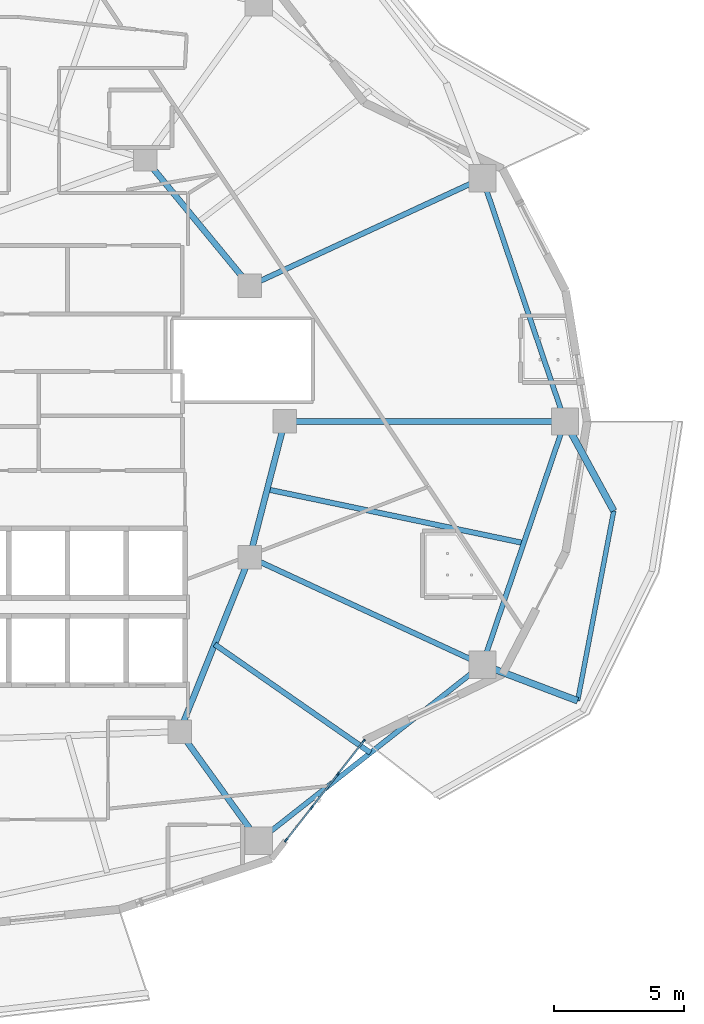
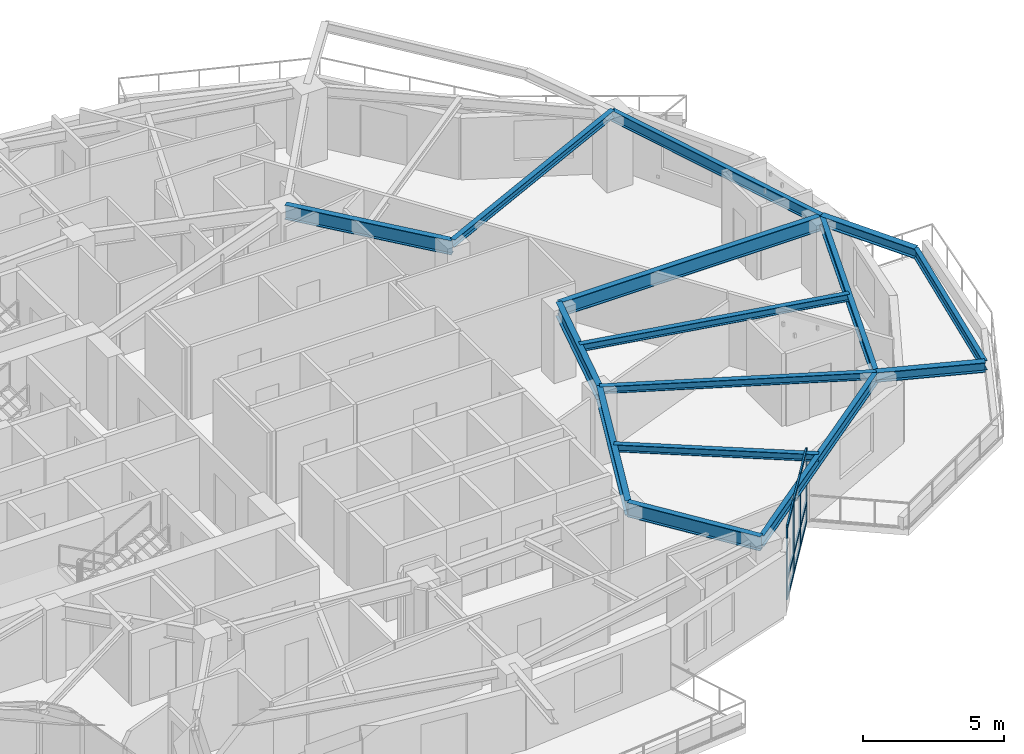
# One storey, part 4 of 18: 15 beams, 13 members, 1 element without a shape of its own.
"""IFC4 building model written with IfcOpenShell, lengths in metres."""

from ifc_helpers import new_model, si_unit, direction, frame, origin, origin_2d, place, context, subcontext, project, spatial, rectangle, i_section, extrude, material, layer, layer_set, material_profile, profile_set, type_object, element, aggregate, save


model = new_model("IFC4")

# Units and contexts
model_context = context("Model", 3, precision=1e-05, world=origin(), true_north=direction((0.0, 1.0)))
body_context = subcontext(model_context, "Body", "Model", "MODEL_VIEW")
ifc_project = project(units=[si_unit("LENGTHUNIT", "METRE"), si_unit("AREAUNIT", "SQUARE_METRE"), si_unit("VOLUMEUNIT", "CUBIC_METRE"), si_unit("PLANEANGLEUNIT", "RADIAN"), si_unit("MASSUNIT", "GRAM", prefix="KILO")], contexts=[model_context])

# Site, building, storey
site_placement = place(None, origin())
site = spatial("IfcSite", under=ifc_project, at=site_placement, CompositionType="ELEMENT")
building_placement = place(site_placement, origin())
building = spatial("IfcBuilding", under=site, at=building_placement, Name="Kolvaren Gate Tower and Convention Centre", CompositionType="ELEMENT")
storey_placement = place(building_placement, frame((0.0, 0.0, 108.699951171875)))
storey = spatial("IfcBuildingStorey", under=building, at=storey_placement, Name="L26", CompositionType="ELEMENT", Elevation=108.699951171875)

# Curtain wall, members
ifc_material_1 = material(Name="Anodized Architectural Aluminium Alloy 6063-T6", Category="aluminium")
ifc_layer = layer(ifc_material_1, 0.159912109375)
ifc_layer_set = layer_set([ifc_layer], Name="Anodized Architectural Aluminium Alloy 6063-T6")
curtain_wall_type = type_object("IfcCurtainWallType", Name="CW-HTL-UNIT", PredefinedType="NOTDEFINED", material=ifc_layer_set)
curtain_wall_placement = place(storey_placement, origin())
curtain_wall = element("IfcCurtainWall", 1, at=curtain_wall_placement, inside=storey, type_object=curtain_wall_type, Name="Tower L26 Unitised Curtain Wall CW-HTL-UNIT Bay 20", PredefinedType="NOTDEFINED")
ifc_material_profile_1 = material_profile(ifc_material_1, rectangle(XDim=0.06494140625, YDim=0.159912109375, at=origin_2d()), Name="CW-MEM-MUL-160")
ifc_profile_set_1 = profile_set([ifc_material_profile_1], Name="Anodized Architectural Aluminium Alloy 6063-T6")
member_type_1 = type_object("IfcMemberType", Name="CW-MEM-MUL-160", PredefinedType="MULLION", material=ifc_profile_set_1)
member_1_placement = place(storey_placement, frame((42.77880859375, 10.957763671875, 0.0), z_axis=(0.0, 0.0, 1.0), x_axis=(-0.787412940513, 0.616425876414, 0.0)))
member_1 = element("IfcMember", 2, at=member_1_placement, type_object=member_type_1, Name="CW-03 mullion 1", PredefinedType="MULLION", context=body_context, shape_type="SweptSolid", body=[
    extrude(rectangle(XDim=0.06494140625, YDim=0.159912109375, at=origin_2d()), origin(), (0.0, 0.0, 1.0), 3.130126953125),
])
member_2_placement = place(storey_placement, frame((43.76220703125, 12.2138671875, 0.0), z_axis=(0.0, 0.0, 1.0), x_axis=(-0.787412940513, 0.616425876414, 0.0)))
member_2 = element("IfcMember", 3, at=member_2_placement, type_object=member_type_1, Name="CW-03 mullion 2", PredefinedType="MULLION", context=body_context, shape_type="SweptSolid", body=[
    extrude(rectangle(XDim=0.06494140625, YDim=0.159912109375, at=origin_2d()), origin(), (0.0, 0.0, 1.0), 3.130126953125),
])
member_3_placement = place(storey_placement, frame((44.765380859375, 13.495361328125, 0.0), z_axis=(0.0, 0.0, 1.0), x_axis=(-0.787412940513, 0.616425876414, 0.0)))
member_3 = element("IfcMember", 4, at=member_3_placement, type_object=member_type_1, Name="CW-03 mullion 3", PredefinedType="MULLION", context=body_context, shape_type="SweptSolid", body=[
    extrude(rectangle(XDim=0.06494140625, YDim=0.159912109375, at=origin_2d()), origin(), (0.0, 0.0, 1.0), 3.130126953125),
])
member_4_placement = place(storey_placement, frame((45.748779296875, 14.75146484375, 0.0), z_axis=(0.0, 0.0, 1.0), x_axis=(-0.787412940513, 0.616425876414, 0.0)))
member_4 = element("IfcMember", 5, at=member_4_placement, type_object=member_type_1, Name="CW-03 mullion 4", PredefinedType="MULLION", context=body_context, shape_type="SweptSolid", body=[
    extrude(rectangle(XDim=0.06494140625, YDim=0.159912109375, at=origin_2d()), origin(), (0.0, 0.0, 1.0), 3.130126953125),
])
ifc_material_profile_2 = material_profile(ifc_material_1, rectangle(XDim=0.06494140625, YDim=0.159912109375, at=origin_2d()), Name="CW-MEM-TRN-160")
ifc_profile_set_2 = profile_set([ifc_material_profile_2], Name="Anodized Architectural Aluminium Alloy 6063-T6")
member_type_2 = type_object("IfcMemberType", Name="CW-MEM-TRN-160", PredefinedType="USERDEFINED", material=ifc_profile_set_2)
member_5_placement = place(storey_placement, frame((42.798828125, 10.9833984375, 0.032470703125), z_axis=(0.616488928006, 0.78736357653, 0.0), x_axis=(-0.78736357653, 0.616488928006, 0.0)))
member_5 = element("IfcMember", 6, at=member_5_placement, type_object=member_type_2, Name="CW-03 transom 1.1", ObjectType="TRANSOM", PredefinedType="USERDEFINED", context=body_context, shape_type="SweptSolid", body=[
    extrude(rectangle(XDim=0.06494140625, YDim=0.159912109375, at=origin_2d()), origin(), (0.0, 0.0, 1.0), 1.5302734375),
])
member_6_placement = place(storey_placement, frame((42.798828125, 10.9833984375, 0.85009765625), z_axis=(0.616488928006, 0.78736357653, 0.0), x_axis=(-0.78736357653, 0.616488928006, 0.0)))
member_6 = element("IfcMember", 7, at=member_6_placement, type_object=member_type_2, Name="CW-03 transom 1.2", ObjectType="TRANSOM", PredefinedType="USERDEFINED", context=body_context, shape_type="SweptSolid", body=[
    extrude(rectangle(XDim=0.06494140625, YDim=0.159912109375, at=origin_2d()), origin(), (0.0, 0.0, 1.0), 1.5302734375),
])
member_7_placement = place(storey_placement, frame((42.798828125, 10.9833984375, 3.09765625), z_axis=(0.616488928006, 0.78736357653, 0.0), x_axis=(-0.78736357653, 0.616488928006, 0.0)))
member_7 = element("IfcMember", 8, at=member_7_placement, type_object=member_type_2, Name="CW-03 transom 1.3", ObjectType="TRANSOM", PredefinedType="USERDEFINED", context=body_context, shape_type="SweptSolid", body=[
    extrude(rectangle(XDim=0.06494140625, YDim=0.159912109375, at=origin_2d()), origin(), (0.0, 0.0, 1.0), 1.5302734375),
])
member_8_placement = place(storey_placement, frame((43.7822265625, 12.239501953125, 0.032470703125), z_axis=(0.616447292669, 0.787396174337, 0.0), x_axis=(-0.787396174337, 0.616447292669, 0.0)))
member_8 = element("IfcMember", 9, at=member_8_placement, type_object=member_type_2, Name="CW-03 transom 2.1", ObjectType="TRANSOM", PredefinedType="USERDEFINED", context=body_context, shape_type="SweptSolid", body=[
    extrude(rectangle(XDim=0.06494140625, YDim=0.159912109375, at=origin_2d()), origin(), (0.0, 0.0, 1.0), 1.5625),
])
member_9_placement = place(storey_placement, frame((43.7822265625, 12.239501953125, 0.85009765625), z_axis=(0.616447292669, 0.787396174337, 0.0), x_axis=(-0.787396174337, 0.616447292669, 0.0)))
member_9 = element("IfcMember", 10, at=member_9_placement, type_object=member_type_2, Name="CW-03 transom 2.2", ObjectType="TRANSOM", PredefinedType="USERDEFINED", context=body_context, shape_type="SweptSolid", body=[
    extrude(rectangle(XDim=0.06494140625, YDim=0.159912109375, at=origin_2d()), origin(), (0.0, 0.0, 1.0), 1.5625),
])
member_10_placement = place(storey_placement, frame((43.7822265625, 12.239501953125, 3.09765625), z_axis=(0.616447292669, 0.787396174337, 0.0), x_axis=(-0.787396174337, 0.616447292669, 0.0)))
member_10 = element("IfcMember", 11, at=member_10_placement, type_object=member_type_2, Name="CW-03 transom 2.3", ObjectType="TRANSOM", PredefinedType="USERDEFINED", context=body_context, shape_type="SweptSolid", body=[
    extrude(rectangle(XDim=0.06494140625, YDim=0.159912109375, at=origin_2d()), origin(), (0.0, 0.0, 1.0), 1.5625),
])
member_11_placement = place(storey_placement, frame((44.785400390625, 13.52099609375, 0.032470703125), z_axis=(0.61639000373, 0.78744102211, 0.0), x_axis=(-0.78744102211, 0.61639000373, 0.0)))
member_11 = element("IfcMember", 12, at=member_11_placement, type_object=member_type_2, Name="CW-03 transom 3.1", ObjectType="TRANSOM", PredefinedType="USERDEFINED", context=body_context, shape_type="SweptSolid", body=[
    extrude(rectangle(XDim=0.06494140625, YDim=0.159912109375, at=origin_2d()), origin(), (0.0, 0.0, 1.0), 1.530029296875),
])
member_12_placement = place(storey_placement, frame((44.785400390625, 13.52099609375, 0.85009765625), z_axis=(0.61639000373, 0.78744102211, 0.0), x_axis=(-0.78744102211, 0.61639000373, 0.0)))
member_12 = element("IfcMember", 13, at=member_12_placement, type_object=member_type_2, Name="CW-03 transom 3.2", ObjectType="TRANSOM", PredefinedType="USERDEFINED", context=body_context, shape_type="SweptSolid", body=[
    extrude(rectangle(XDim=0.06494140625, YDim=0.159912109375, at=origin_2d()), origin(), (0.0, 0.0, 1.0), 1.530029296875),
])
member_13_placement = place(storey_placement, frame((44.785400390625, 13.52099609375, 3.09765625), z_axis=(0.61639000373, 0.78744102211, 0.0), x_axis=(-0.78744102211, 0.61639000373, 0.0)))
member_13 = element("IfcMember", 14, at=member_13_placement, type_object=member_type_2, Name="CW-03 transom 3.3", ObjectType="TRANSOM", PredefinedType="USERDEFINED", context=body_context, shape_type="SweptSolid", body=[
    extrude(rectangle(XDim=0.06494140625, YDim=0.159912109375, at=origin_2d()), origin(), (0.0, 0.0, 1.0), 1.530029296875),
])
aggregate(curtain_wall, [member_1, member_2, member_3, member_4, member_5, member_6, member_7, member_8, member_9, member_10, member_11, member_12, member_13])

# Beams
ifc_material_2 = material(Name="Structural steel ASTM A992 Grade 345 MPa", Category="steel")
ifc_material_profile_3 = material_profile(ifc_material_2, i_section(OverallWidth=0.260009765625, OverallDepth=0.419921875, WebThickness=0.013427734375, FlangeThickness=0.0224609375, at=origin_2d()), Name="W410X132")
ifc_profile_set_3 = profile_set([ifc_material_profile_3], Name="Structural steel ASTM A992 Grade 345 MPa")
beam_type_1 = type_object("IfcBeamType", Name="STR-BM-W410X132", PredefinedType="BEAM", material=ifc_profile_set_3)
beam_1_placement = place(storey_placement, frame((50.30029296875, 17.681396484375, 2.920654296875), z_axis=(0.935054778076, -0.354503260912, 0.0), x_axis=(0.354503260912, 0.935054778076, 0.0)))
element("IfcBeam", 15, at=beam_1_placement, inside=storey, type_object=beam_type_1, Name="Tower L27 Planted Balcony Outrigger Cantilever BC-4A", PredefinedType="BEAM", context=body_context, shape_type="SweptSolid", body=[
    extrude(i_section(OverallWidth=0.260009765625, OverallDepth=0.419921875, WebThickness=0.013427734375, FlangeThickness=0.0224609375, at=origin_2d()), origin(), (0.0, 0.0, 1.0), 3.89990234375),
])
beam_2_placement = place(storey_placement, frame((53.46240234375, 27.0, 2.920654296875), z_axis=(0.478878445754, -0.877881218726, 0.0), x_axis=(0.877881218726, 0.478878445754, 0.0)))
element("IfcBeam", 16, at=beam_2_placement, inside=storey, type_object=beam_type_1, Name="Tower L27 Planted Balcony Outrigger Cantilever BC-4B", PredefinedType="BEAM", context=body_context, shape_type="SweptSolid", body=[
    extrude(i_section(OverallWidth=0.260009765625, OverallDepth=0.419921875, WebThickness=0.013427734375, FlangeThickness=0.0224609375, at=origin_2d()), origin(), (0.0, 0.0, 1.0), 3.900146484375),
])
ifc_material_profile_4 = material_profile(ifc_material_2, i_section(OverallWidth=0.22998046875, OverallDepth=0.616943359375, WebThickness=0.01318359375, FlangeThickness=0.022216796875, at=origin_2d()), Name="W610X140")
ifc_profile_set_4 = profile_set([ifc_material_profile_4], Name="Structural steel ASTM A992 Grade 345 MPa")
beam_type_2 = type_object("IfcBeamType", Name="STR-BM-W610X140", PredefinedType="BEAM", material=ifc_profile_set_4)
beam_3_placement = place(storey_placement, frame((42.72509765625, 27.0, 2.821533203125), z_axis=(-0.250091133936, -0.968222301296, 0.0), x_axis=(0.968222301296, -0.250091133936, 0.0)))
element("IfcBeam", 17, at=beam_3_placement, inside=storey, type_object=beam_type_2, Name="Tower L26 Primary Ring Girder G-01", PredefinedType="BEAM", context=body_context, shape_type="SweptSolid", body=[
    extrude(i_section(OverallWidth=0.22998046875, OverallDepth=0.616943359375, WebThickness=0.01318359375, FlangeThickness=0.022216796875, at=origin_2d()), origin(), (0.0, 0.0, 1.0), 5.3701171875),
])
beam_4_placement = place(storey_placement, frame((41.382080078125, 32.199462890625, 2.821533203125), z_axis=(-0.635884066011, 0.771784590798, 0.0), x_axis=(-0.771784590798, -0.635884066011, 0.0)))
element("IfcBeam", 18, at=beam_4_placement, inside=storey, type_object=beam_type_2, Name="Tower L26 Primary Ring Girder G-02", PredefinedType="BEAM", context=body_context, shape_type="SweptSolid", body=[
    extrude(i_section(OverallWidth=0.22998046875, OverallDepth=0.616943359375, WebThickness=0.01318359375, FlangeThickness=0.022216796875, at=origin_2d()), origin(), (0.0, 0.0, 1.0), 6.291259765625),
])
beam_5_placement = place(storey_placement, frame((38.6982421875, 15.12060546875, 2.821533203125), z_axis=(0.372811100169, 0.927907260232, 0.0), x_axis=(-0.927907260232, 0.372811100169, 0.0)))
element("IfcBeam", 19, at=beam_5_placement, inside=storey, type_object=beam_type_2, Name="Tower L26 Primary Ring Girder G-09", PredefinedType="BEAM", context=body_context, shape_type="SweptSolid", body=[
    extrude(i_section(OverallWidth=0.22998046875, OverallDepth=0.616943359375, WebThickness=0.01318359375, FlangeThickness=0.022216796875, at=origin_2d()), origin(), (0.0, 0.0, 1.0), 7.198974609375),
])
beam_6_placement = place(storey_placement, frame((42.72509765625, 27.0, 2.821533203125), z_axis=(1.0, 0.0, 0.0), x_axis=(0.0, 1.0, 0.0)))
element("IfcBeam", 20, at=beam_6_placement, inside=storey, type_object=beam_type_2, Name="Tower L26 Radial Floor Girder RB-01", PredefinedType="BEAM", context=body_context, shape_type="SweptSolid", body=[
    extrude(i_section(OverallWidth=0.22998046875, OverallDepth=0.616943359375, WebThickness=0.01318359375, FlangeThickness=0.022216796875, at=origin_2d()), origin(), (0.0, 0.0, 1.0), 10.7373046875),
])
beam_7_placement = place(storey_placement, frame((38.6982421875, 15.12060546875, 2.821533203125), z_axis=(0.585214440031, -0.810878572401, 0.0), x_axis=(0.810878572401, 0.585214440031, 0.0)))
element("IfcBeam", 21, at=beam_7_placement, inside=storey, type_object=beam_type_2, Name="Tower L26 Radial Floor Girder RB-11", PredefinedType="BEAM", context=body_context, shape_type="SweptSolid", body=[
    extrude(i_section(OverallWidth=0.22998046875, OverallDepth=0.616943359375, WebThickness=0.01318359375, FlangeThickness=0.022216796875, at=origin_2d()), origin(), (0.0, 0.0, 1.0), 5.166015625),
])
ifc_material_profile_5 = material_profile(ifc_material_2, i_section(OverallWidth=0.205078125, OverallDepth=0.31005859375, WebThickness=0.009521484375, FlangeThickness=0.016357421875, at=origin_2d()), Name="W310X74")
ifc_profile_set_5 = profile_set([ifc_material_profile_5], Name="Structural steel ASTM A992 Grade 345 MPa")
beam_type_3 = type_object("IfcBeamType", Name="STR-JS-W310X74", PredefinedType="JOIST", material=ifc_profile_set_5)
for number, where, z_axis, x_axis, name in (
    (22, (41.382080078125, 32.199462890625, 2.97509765625), (0.907841510795, 0.419313476146, 0.0), (-0.419313476146, 0.907841510795, 0.0), "Tower L26 Radial Floor Girder RB-02"),
    (23, (41.382080078125, 21.800537109375, 2.97509765625), (0.907841510795, -0.419313476146, 0.0), (0.419313476146, 0.907841510795, 0.0), "Tower L26 Radial Floor Girder RB-12"),
):
    element("IfcBeam", number, at=place(storey_placement, frame(where, z_axis=z_axis, x_axis=x_axis)), inside=storey, type_object=beam_type_3, Name=name, PredefinedType="JOIST", context=body_context, shape_type="SweptSolid", body=[
        extrude(i_section(OverallWidth=0.205078125, OverallDepth=0.31005859375, WebThickness=0.009521484375, FlangeThickness=0.016357421875, at=origin_2d()), origin(), (0.0, 0.0, 1.0), 9.823486328125),
    ])
beam_8_placement = place(storey_placement, frame((40.040283203125, 18.46044921875, 2.97509765625), z_axis=(0.820871677882, -0.571112675792, 0.0), x_axis=(0.571112675792, 0.820871677882, 0.0)))
element("IfcBeam", 24, at=beam_8_placement, inside=storey, type_object=beam_type_3, Name="Tower L26 Secondary Composite Floor Joist J-11.1", PredefinedType="JOIST", context=body_context, shape_type="SweptSolid", body=[
    extrude(i_section(OverallWidth=0.205078125, OverallDepth=0.31005859375, WebThickness=0.009521484375, FlangeThickness=0.016357421875, at=origin_2d()), origin(), (0.0, 0.0, 1.0), 7.273681640625),
])
beam_9_placement = place(storey_placement, frame((42.0537109375, 24.400146484375, 2.97509765625), z_axis=(0.978743091795, -0.205090127175, 0.0), x_axis=(0.205090127175, 0.978743091795, 0.0)))
element("IfcBeam", 25, at=beam_9_placement, inside=storey, type_object=beam_type_3, Name="Tower L26 Secondary Composite Floor Joist J-12.1", PredefinedType="JOIST", context=body_context, shape_type="SweptSolid", body=[
    extrude(i_section(OverallWidth=0.205078125, OverallDepth=0.31005859375, WebThickness=0.009521484375, FlangeThickness=0.016357421875, at=origin_2d()), origin(), (0.0, 0.0, 1.0), 10.041015625),
])
ifc_material_profile_6 = material_profile(ifc_material_2, i_section(OverallWidth=0.180908203125, OverallDepth=0.4169921875, WebThickness=0.010986328125, FlangeThickness=0.018310546875, at=origin_2d()), Name="W410X85")
ifc_profile_set_6 = profile_set([ifc_material_profile_6], Name="Structural steel ASTM A992 Grade 345 MPa")
beam_type_4 = type_object("IfcBeamType", Name="STR-SP-W410X85", PredefinedType="SPANDREL", material=ifc_profile_set_6)
beam_10_placement = place(storey_placement, frame((53.947021484375, 16.298828125, 2.922119140625), z_axis=(0.186707724087, 0.982415505663, 0.0), x_axis=(-0.982415505663, 0.186707724087, 0.0)))
element("IfcBeam", 26, at=beam_10_placement, inside=storey, type_object=beam_type_4, Name="Tower L27 Planted Balcony Header Tie Beam BT-4", PredefinedType="SPANDREL", context=body_context, shape_type="SweptSolid", body=[
    extrude(i_section(OverallWidth=0.180908203125, OverallDepth=0.4169921875, WebThickness=0.010986328125, FlangeThickness=0.018310546875, at=origin_2d()), origin(), (0.0, 0.0, 1.0), 7.40771484375),
])
ifc_material_profile_7 = material_profile(ifc_material_2, i_section(OverallWidth=0.194091796875, OverallDepth=0.468994140625, WebThickness=0.0126953125, FlangeThickness=0.0205078125, at=origin_2d()), Name="W460X106")
ifc_profile_set_7 = profile_set([ifc_material_profile_7], Name="Structural steel ASTM A992 Grade 345 MPa")
beam_type_5 = type_object("IfcBeamType", Name="STR-SP-W460X106", PredefinedType="SPANDREL", material=ifc_profile_set_7)
beam_11_placement = place(storey_placement, frame((53.46240234375, 27.0, 2.8955078125), z_axis=(-0.321336471485, 0.946965084939, 0.0), x_axis=(-0.946965084939, -0.321336471485, 0.0)))
element("IfcBeam", 27, at=beam_11_placement, inside=storey, type_object=beam_type_5, Name="Tower L26 Perimeter Spandrel Beam SP-01", PredefinedType="SPANDREL", context=body_context, shape_type="SweptSolid", body=[
    extrude(i_section(OverallWidth=0.194091796875, OverallDepth=0.468994140625, WebThickness=0.0126953125, FlangeThickness=0.0205078125, at=origin_2d()), origin(), (0.0, 0.0, 1.0), 9.840576171875),
])
beam_12_placement = place(storey_placement, frame((41.721435546875, 10.931640625, 2.8955078125), z_axis=(0.785907610354, 0.618343939881, 0.0), x_axis=(-0.618343939881, 0.785907610354, 0.0)))
element("IfcBeam", 28, at=beam_12_placement, inside=storey, type_object=beam_type_5, Name="Tower L26 Perimeter Spandrel Beam SP-11", PredefinedType="SPANDREL", context=body_context, shape_type="SweptSolid", body=[
    extrude(i_section(OverallWidth=0.194091796875, OverallDepth=0.468994140625, WebThickness=0.0126953125, FlangeThickness=0.0205078125, at=origin_2d()), origin(), (0.0, 0.0, 1.0), 10.915771484375),
])
beam_13_placement = place(storey_placement, frame((50.30029296875, 17.681396484375, 2.8955078125), z_axis=(0.321336471485, 0.946965084939, 0.0), x_axis=(-0.946965084939, 0.321336471485, 0.0)))
element("IfcBeam", 29, at=beam_13_placement, inside=storey, type_object=beam_type_5, Name="Tower L26 Perimeter Spandrel Beam SP-12", PredefinedType="SPANDREL", context=body_context, shape_type="SweptSolid", body=[
    extrude(i_section(OverallWidth=0.194091796875, OverallDepth=0.468994140625, WebThickness=0.0126953125, FlangeThickness=0.0205078125, at=origin_2d()), origin(), (0.0, 0.0, 1.0), 9.840576171875),
])

save(model, "model.ifc")
